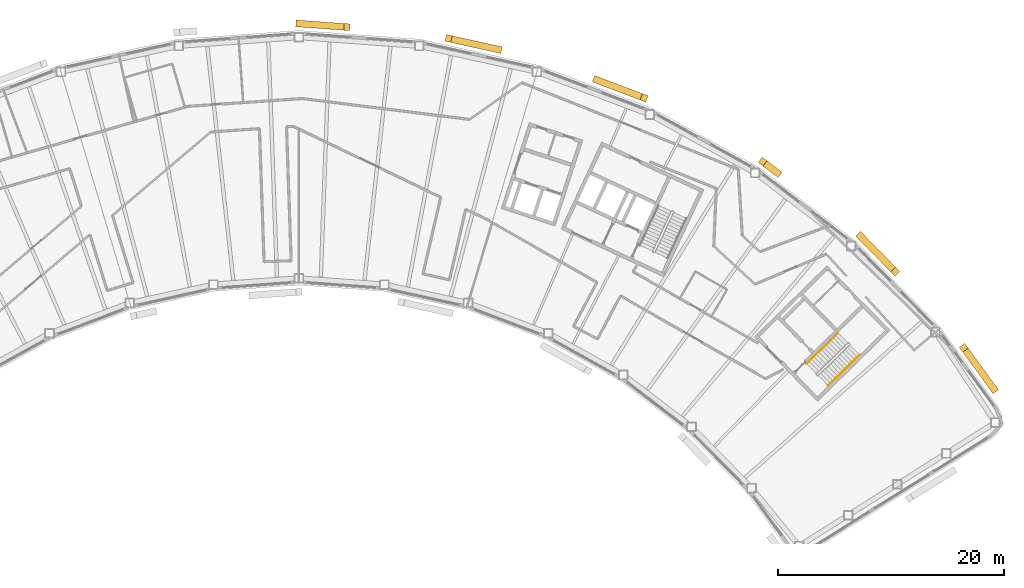
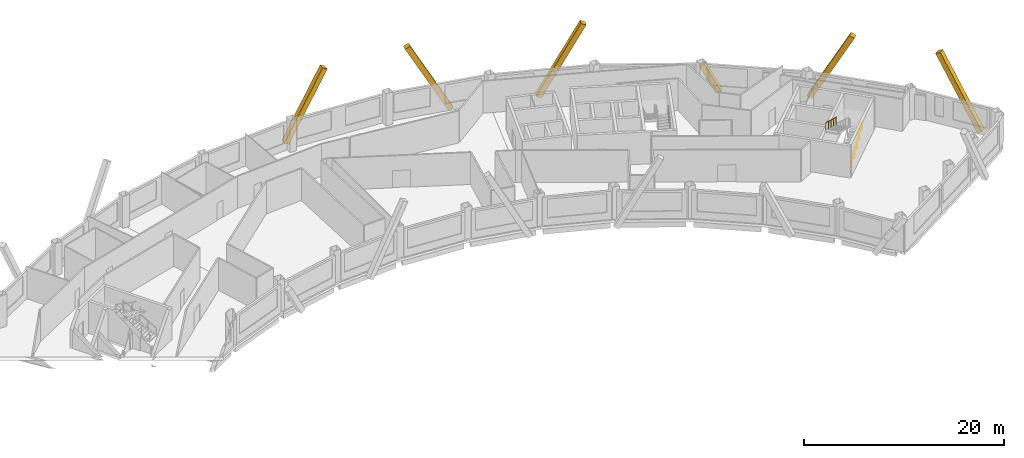
# One storey, part 12 of 12: 6 coverings, 2 railings.
"""IFC4 building model written with IfcOpenShell, lengths in metres."""

import ifcopenshell
import ifcopenshell.guid

model = None  # the IFC model being written
_history = None  # IfcOwnerHistory: only IFC2X3 demands one
_inside = {}  # id of a spatial element -> (the spatial element, [elements in it])
_under = {}  # id of a project, library or spatial element -> (it, [spatial elements below it])
_declared = {}  # id of a project -> (the project, [libraries it declares])
_typed = {}  # id of a type object -> (the type object, [elements of that type])
_made_of = {}  # id of a material, layer set ... -> (it, [elements and type objects made of it])


def new_model(schema):
    """Start an empty IFC model of exactly this schema.

    Asked for "IFC4X3", IfcOpenShell would pick the latest addendum, in which some entities
    have other attributes; the version numbers below select the first issue.
    IFC2X3 requires an IfcOwnerHistory on every rooted entity: one is made here for all.
    """
    global model, _history
    if schema == "IFC4X3":
        model = ifcopenshell.file(schema_version=(4, 3, 0, 0))
    else:
        model = ifcopenshell.file(schema=schema)
    _inside.clear()
    _under.clear()
    _declared.clear()
    _typed.clear()
    _made_of.clear()
    _history = None
    if model.schema == "IFC2X3":
        org = make("IfcOrganization", Name="unknown")
        user = make(
            "IfcPersonAndOrganization",
            ThePerson=make("IfcPerson", FamilyName="unknown"),
            TheOrganization=org,
        )
        app = make(
            "IfcApplication",
            ApplicationDeveloper=org,
            Version="unknown",
            ApplicationFullName="unknown",
            ApplicationIdentifier="unknown",
        )
        _history = make(
            "IfcOwnerHistory",
            OwningUser=user,
            OwningApplication=app,
            ChangeAction="ADDED",
            CreationDate=0,
        )
    return model


def make(cls, **values):
    """One entity of the class cls with the attributes given. An attribute that is None is left unset."""
    return model.create_entity(
        cls, **{name: value for name, value in values.items() if value is not None}
    )


def rooted(cls, **values):
    """An entity with a GlobalId (a new one), such as an element, a storey or a relation."""
    return make(cls, GlobalId=ifcopenshell.guid.new(), OwnerHistory=_history, **values)


def si_unit(unit_type, name, prefix=None):
    """IfcSIUnit, for example si_unit("LENGTHUNIT", "METRE", prefix="MILLI")."""
    return make("IfcSIUnit", UnitType=unit_type, Prefix=prefix, Name=name)


def assignment(units):
    """IfcUnitAssignment: the units of a project."""
    return None if units is None else make("IfcUnitAssignment", Units=units)


def point(xyz):
    """IfcCartesianPoint."""
    return None if xyz is None else make("IfcCartesianPoint", Coordinates=xyz)


def direction(xyz):
    """IfcDirection."""
    return None if xyz is None else make("IfcDirection", DirectionRatios=xyz)


def frame(location, z_axis=None, x_axis=None):
    """IfcAxis2Placement3D, a coordinate frame: its origin and axes. An axis left out is left unset."""
    return make(
        "IfcAxis2Placement3D",
        Location=point(location),
        Axis=direction(z_axis),
        RefDirection=direction(x_axis),
    )


def frame_2d(location, x_axis=None):
    """IfcAxis2Placement2D, a coordinate frame in the plane: its origin and x axis."""
    return make(
        "IfcAxis2Placement2D", Location=point(location), RefDirection=direction(x_axis)
    )


def origin():
    """The frame at (0, 0, 0) with its axes left unset."""
    return frame((0.0, 0.0, 0.0))


def origin_2d():
    """The frame at (0, 0) in the plane with its x axis left unset."""
    return frame_2d((0.0, 0.0))


def place(relative_to, where):
    """IfcLocalPlacement: puts the frame where relative to a parent placement (None: the world)."""
    return make(
        "IfcLocalPlacement", PlacementRelTo=relative_to, RelativePlacement=where
    )


def context(
    kind, dimensions, precision=None, world=None, true_north=None, identifier=None
):
    """IfcGeometricRepresentationContext, for example the 3D "Model" context."""
    return make(
        "IfcGeometricRepresentationContext",
        ContextIdentifier=identifier,
        ContextType=kind,
        CoordinateSpaceDimension=dimensions,
        Precision=precision,
        WorldCoordinateSystem=world,
        TrueNorth=true_north,
    )


def subcontext(parent, identifier, kind, view, scale=None):
    """IfcGeometricRepresentationSubContext, for example "Body" below "Model"."""
    return make(
        "IfcGeometricRepresentationSubContext",
        ContextIdentifier=identifier,
        ContextType=kind,
        ParentContext=parent,
        TargetScale=scale,
        TargetView=view,
    )


def project(units=None, contexts=None):
    """IfcProject with its units and contexts."""
    return rooted(
        "IfcProject",
        Name="project",
        RepresentationContexts=contexts,
        UnitsInContext=assignment(units),
    )


def spatial(cls, under=None, at=None, **own):
    """A site, building, storey or space (cls), placed at a placement, below another one or the project."""
    s = rooted(cls, ObjectPlacement=at, **own)
    if under is not None:
        _under.setdefault(under.id(), (under, []))[1].append(s)
    return s


def profile(cls, at=None, kind="AREA", **sizes):
    """A parametric profile (cls). Its sizes go by their IFC names, for example OverallWidth=200.0."""
    return make(cls, ProfileType=kind, Position=at, **sizes)


def rectangle(**sizes):
    """IfcRectangleProfileDef."""
    return profile("IfcRectangleProfileDef", **sizes)


def circle(**sizes):
    """IfcCircleProfileDef."""
    return profile("IfcCircleProfileDef", **sizes)


def extrude(swept, where, along, depth):
    """IfcExtrudedAreaSolid: the profile swept, set in the frame where, extruded along a direction by depth."""
    return make(
        "IfcExtrudedAreaSolid",
        SweptArea=swept,
        Position=where,
        ExtrudedDirection=direction(along),
        Depth=depth,
    )


def shape(context_of_items, identifier, shape_type, items):
    """IfcShapeRepresentation: the items that make up one representation, for example the "Body"."""
    return make(
        "IfcShapeRepresentation",
        ContextOfItems=context_of_items,
        RepresentationIdentifier=identifier,
        RepresentationType=shape_type,
        Items=items,
    )


def material(Name=None, Category=None):
    """IfcMaterial."""
    return make("IfcMaterial", Name=Name, Category=Category)


def material_profile(
    of_material, cross_section, Name=None, Category=None, Priority=None
):
    """IfcMaterialProfile: a cross section and its material."""
    return make(
        "IfcMaterialProfile",
        Name=Name,
        Material=of_material,
        Profile=cross_section,
        Priority=Priority,
        Category=Category,
    )


def profile_set(profiles, Name=None, composite=None):
    """IfcMaterialProfileSet."""
    return make(
        "IfcMaterialProfileSet",
        Name=Name,
        MaterialProfiles=profiles,
        CompositeProfile=composite,
    )


def made_of(thing, what):
    """Note that an element or type object is made of a material, layer set ...; save() writes the relation."""
    if what is not None:
        _made_of.setdefault(what.id(), (what, []))[1].append(thing)
    return thing


def type_object(cls, material=None, **own):
    """A type object (cls), such as IfcWallType, which elements share."""
    return made_of(rooted(cls, **own), material)


def element(
    cls,
    number,
    at=None,
    inside=None,
    cuts=None,
    type_object=None,
    material=None,
    context=None,
    identifier="Body",
    shape_type=None,
    held_by="IfcProductDefinitionShape",
    body=None,
    shapes=None,
    **own,
):
    """One element of the class cls, such as IfcWall. Its Tag is "e" and its number.

    at: its placement. inside: the storey or other place that contains it. cuts: it is an
    opening in that element (IfcRelVoidsElement). A single representation is given by context,
    identifier, shape_type and body (its items); several are given by shapes. held_by: the class
    of the entity that holds the representations. save() writes the other relations.
    """
    e = rooted(cls, Tag="e%d" % number, ObjectPlacement=at, **own)
    if body is not None:
        shapes = [shape(context, identifier, shape_type, body)]
    if shapes is not None:
        e.Representation = make(held_by, Representations=shapes)
    if inside is not None:
        _inside.setdefault(inside.id(), (inside, []))[1].append(e)
    if cuts is not None:
        rooted(
            "IfcRelVoidsElement", RelatingBuildingElement=cuts, RelatedOpeningElement=e
        )
    if type_object is not None:
        _typed.setdefault(type_object.id(), (type_object, []))[1].append(e)
    return made_of(e, material)


def aggregate(whole, parts):
    """IfcRelAggregates: a whole, such as a stair, and the parts it consists of."""
    return rooted("IfcRelAggregates", RelatingObject=whole, RelatedObjects=parts)


def save(model, path):
    """Write the relations noted so far, then the file.

    IfcRelAggregates (storeys below a building ...), IfcRelContainedInSpatialStructure (elements
    in a storey), IfcRelDefinesByType, IfcRelAssociatesMaterial and IfcRelDeclares: one each for
    every whole, place, type object, material and project.
    """
    for whole, parts in _under.values():
        aggregate(whole, parts)
    for where, things in _inside.values():
        rooted(
            "IfcRelContainedInSpatialStructure",
            RelatedElements=things,
            RelatingStructure=where,
        )
    for kind, things in _typed.values():
        rooted("IfcRelDefinesByType", RelatedObjects=things, RelatingType=kind)
    for what, things in _made_of.values():
        rooted("IfcRelAssociatesMaterial", RelatedObjects=things, RelatingMaterial=what)
    for by, libraries in _declared.values():
        rooted("IfcRelDeclares", RelatingContext=by, RelatedDefinitions=libraries)
    model.write(path)


model = new_model("IFC4")

# Units and contexts
model_context = context("Model", 3, precision=1e-05, world=origin(), true_north=direction((0.0, 1.0)))
body_context = subcontext(model_context, "Body", "Model", "MODEL_VIEW")
ifc_project = project(units=[si_unit("LENGTHUNIT", "METRE"), si_unit("AREAUNIT", "SQUARE_METRE"), si_unit("VOLUMEUNIT", "CUBIC_METRE"), si_unit("PLANEANGLEUNIT", "RADIAN"), si_unit("MASSUNIT", "GRAM", prefix="KILO")], contexts=[model_context])

# Site, building, storey
site_placement = place(None, origin())
site = spatial("IfcSite", under=ifc_project, at=site_placement, CompositionType="ELEMENT")
building_placement = place(site_placement, origin())
building = spatial("IfcBuilding", under=site, at=building_placement, Name="Tuul Gate Civic Tower", CompositionType="ELEMENT")
storey_placement = place(building_placement, frame((0.0, 0.0, 328.10009765625)))
storey = spatial("IfcBuildingStorey", under=building, at=storey_placement, Name="Level 74", CompositionType="ELEMENT", Elevation=328.10009765625)

# Railings
ifc_material_1 = material(Name="Painted steel", Category="steel")
railing_type = type_object("IfcRailingType", Name="Stair handrail", PredefinedType="HANDRAIL", material=ifc_material_1)
railing_1_placement = place(storey_placement, frame((49.05126953125, -17.028076171875, 0.14990234375)))
element("IfcRailing", 1, at=railing_1_placement, inside=storey, type_object=railing_type, Name="Level 74 ST-3 stair handrail 1", PredefinedType="HANDRAIL", context=body_context, shape_type="SweptSolid", body=[
    extrude(circle(Radius=0.02392578125, at=origin_2d()), frame((0.0, 0.0, 0.8759765625), z_axis=(0.638753653487, 0.626099522554, 0.447205945863), x_axis=(-0.699997553204, 0.714145241186, 0.0)), (0.0, 0.0, 1.0), 4.3603515625),
    extrude(circle(Radius=0.02099609375, at=origin_2d()), origin(), (0.0, 0.0, 1.0), 0.851806640625),
    extrude(circle(Radius=0.02099609375, at=origin_2d()), frame((0.6962890625, 0.6826171875, 0.487548828125)), (0.0, 0.0, 1.0), 0.851806640625),
    extrude(circle(Radius=0.02099609375, at=origin_2d()), frame((1.392578125, 1.364990234375, 0.97509765625)), (0.0, 0.0, 1.0), 0.851806640625),
    extrude(circle(Radius=0.02099609375, at=origin_2d()), frame((2.0888671875, 2.04736328125, 1.46240234375)), (0.0, 0.0, 1.0), 0.851806640625),
    extrude(circle(Radius=0.02099609375, at=origin_2d()), frame((2.78515625, 2.72998046875, 1.949951171875)), (0.0, 0.0, 1.0), 0.851806640625),
])
railing_2_placement = place(storey_placement, frame((49.9462890625, -12.369873046875, 2.25)))
element("IfcRailing", 2, at=railing_2_placement, inside=storey, type_object=railing_type, Name="Level 74 ST-3 stair handrail 2", PredefinedType="HANDRAIL", context=body_context, shape_type="SweptSolid", body=[
    extrude(circle(Radius=0.02392578125, at=origin_2d()), frame((0.0, 0.0, 0.8759765625), z_axis=(-0.638753653487, -0.626099522554, 0.447205945863), x_axis=(0.699997553204, -0.714145241186, 0.0)), (0.0, 0.0, 1.0), 4.3603515625),
    extrude(circle(Radius=0.02099609375, at=origin_2d()), origin(), (0.0, 0.0, 1.0), 0.851806640625),
    extrude(circle(Radius=0.02099609375, at=origin_2d()), frame((-0.6962890625, -0.6826171875, 0.487548828125)), (0.0, 0.0, 1.0), 0.851806640625),
    extrude(circle(Radius=0.02099609375, at=origin_2d()), frame((-1.392578125, -1.364990234375, 0.97509765625)), (0.0, 0.0, 1.0), 0.851806640625),
    extrude(circle(Radius=0.02099609375, at=origin_2d()), frame((-2.0888671875, -2.04736328125, 1.46240234375)), (0.0, 0.0, 1.0), 0.851806640625),
    extrude(circle(Radius=0.02099609375, at=origin_2d()), frame((-2.78515625, -2.72998046875, 1.949951171875)), (0.0, 0.0, 1.0), 0.851806640625),
])

# Coverings
ifc_material_2 = material(Name="Terracotta baguette", Category="masonry")
ifc_material_profile = material_profile(ifc_material_2, rectangle(XDim=0.60009765625, YDim=0.60009765625, at=origin_2d()), Name="Terracotta baguette screen frame")
ifc_profile_set = profile_set([ifc_material_profile], Name="Terracotta baguette")
covering_type = type_object("IfcCoveringType", Name="Terracotta baguette screen frame", PredefinedType="CLADDING", material=ifc_profile_set)
covering_1_placement = place(storey_placement, frame((63.751708984375, -17.356689453125, -0.35009765625), z_axis=(-0.281347031802, 0.385236479627, 0.878883782113), x_axis=(-0.807562783626, -0.58978161255, 0.0)))
element("IfcCovering", 3, at=covering_1_placement, inside=storey, type_object=covering_type, Name="Baguette 18", PredefinedType="CLADDING", context=body_context, shape_type="SweptSolid", body=[
    extrude(rectangle(XDim=0.60009765625, YDim=0.60009765625, at=origin_2d()), origin(), (0.0, 0.0, 1.0), 9.557373046875),
])
covering_2_placement = place(storey_placement, frame((54.997802734375, -6.935791015625, 8.0498046875), z_axis=(-0.332656594537, 0.33931077022, -0.879890783747), x_axis=(-0.714073915719, -0.700070312819, 0.0)))
element("IfcCovering", 4, at=covering_2_placement, inside=storey, type_object=covering_type, Name="Baguette 27", PredefinedType="CLADDING", context=body_context, shape_type="SweptSolid", body=[
    extrude(rectangle(XDim=0.60009765625, YDim=0.60009765625, at=origin_2d()), origin(), (0.0, 0.0, 1.0), 9.35595703125),
])
covering_3_placement = place(storey_placement, frame((44.595458984375, 1.789794921875, -0.35009765625), z_axis=(-0.378068215842, 0.28784582991, 0.879891585579), x_axis=(-0.605768691074, -0.795640806467, 0.0)))
element("IfcCovering", 5, at=covering_3_placement, inside=storey, type_object=covering_type, Name="Baguette 39", PredefinedType="CLADDING", context=body_context, shape_type="SweptSolid", body=[
    extrude(rectangle(XDim=0.60009765625, YDim=0.60009765625, at=origin_2d()), origin(), (0.0, 0.0, 1.0), 3.552978515625),
])
covering_4_placement = place(storey_placement, frame((32.76123046875, 8.451416015625, 8.0498046875), z_axis=(-0.444449007562, 0.168071746228, -0.879895998284), x_axis=(-0.353711403676, -0.935354608108, 0.0)))
element("IfcCovering", 6, at=covering_4_placement, inside=storey, type_object=covering_type, Name="Baguette 51", PredefinedType="CLADDING", context=body_context, shape_type="SweptSolid", body=[
    extrude(rectangle(XDim=0.60009765625, YDim=0.60009765625, at=origin_2d()), origin(), (0.0, 0.0, 1.0), 9.54638671875),
])
covering_5_placement = place(storey_placement, frame((19.874755859375, 12.735107421875, -0.35009765625), z_axis=(-0.464036772307, 0.102269663955, 0.879892487627), x_axis=(-0.215226248943, -0.976564212823, 0.0)))
element("IfcCovering", 7, at=covering_5_placement, inside=storey, type_object=covering_type, Name="Baguette 60", PredefinedType="CLADDING", context=body_context, shape_type="SweptSolid", body=[
    extrude(rectangle(XDim=0.60009765625, YDim=0.60009765625, at=origin_2d()), origin(), (0.0, 0.0, 1.0), 9.546630859375),
])
covering_6_placement = place(storey_placement, frame((6.447998046875, 14.72265625, 8.0498046875), z_axis=(-0.473940226349, 0.034336402563, -0.879887307163), x_axis=(-0.072259413527, -0.997385871745, 0.0)))
element("IfcCovering", 8, at=covering_6_placement, inside=storey, type_object=covering_type, Name="Baguette 69", PredefinedType="CLADDING", context=body_context, shape_type="SweptSolid", body=[
    extrude(rectangle(XDim=0.60009765625, YDim=0.60009765625, at=origin_2d()), origin(), (0.0, 0.0, 1.0), 8.980224609375),
])

save(model, "model.ifc")
